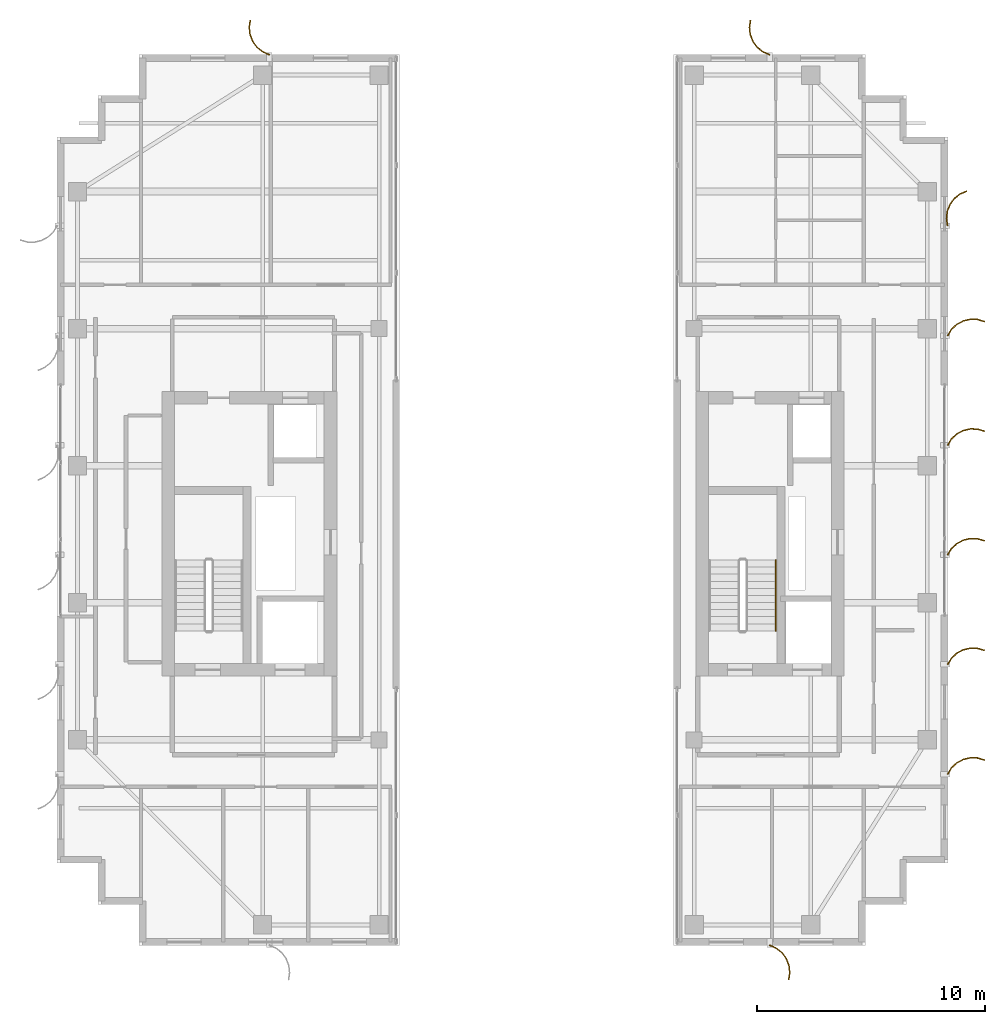
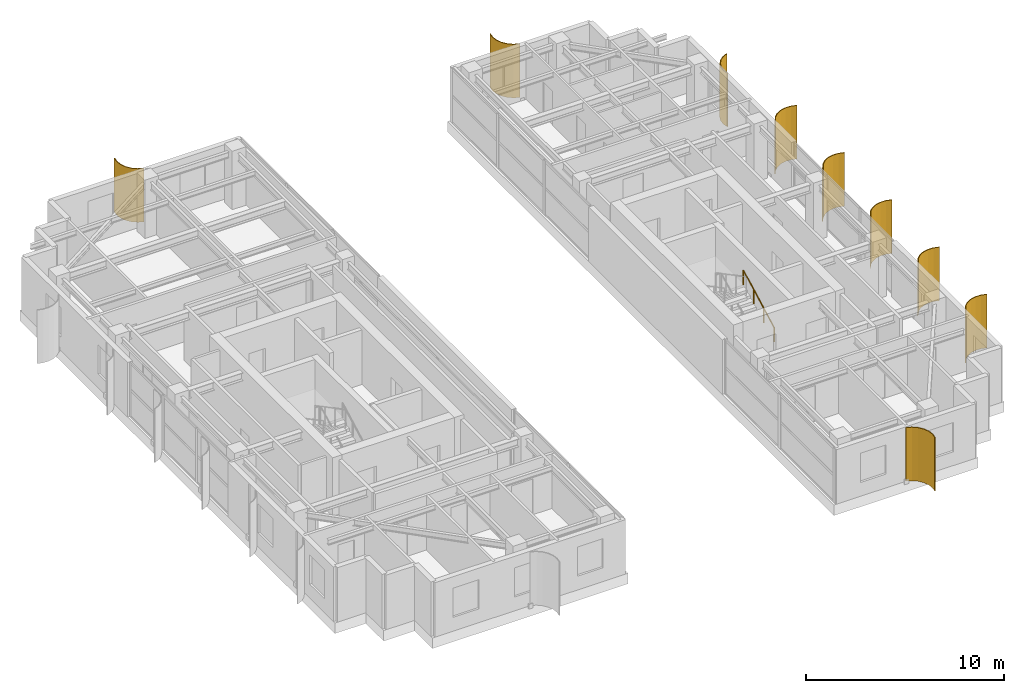
# One storey, part 24 of 24: 9 shading devices, 1 railing.
"""IFC4 building model written with IfcOpenShell, lengths in metres."""

import ifcopenshell
import ifcopenshell.guid

model = None  # the IFC model being written
_history = None  # IfcOwnerHistory: only IFC2X3 demands one
_inside = {}  # id of a spatial element -> (the spatial element, [elements in it])
_under = {}  # id of a project, library or spatial element -> (it, [spatial elements below it])
_declared = {}  # id of a project -> (the project, [libraries it declares])
_typed = {}  # id of a type object -> (the type object, [elements of that type])
_made_of = {}  # id of a material, layer set ... -> (it, [elements and type objects made of it])


def new_model(schema):
    """Start an empty IFC model of exactly this schema.

    Asked for "IFC4X3", IfcOpenShell would pick the latest addendum, in which some entities
    have other attributes; the version numbers below select the first issue.
    IFC2X3 requires an IfcOwnerHistory on every rooted entity: one is made here for all.
    """
    global model, _history
    if schema == "IFC4X3":
        model = ifcopenshell.file(schema_version=(4, 3, 0, 0))
    else:
        model = ifcopenshell.file(schema=schema)
    _inside.clear()
    _under.clear()
    _declared.clear()
    _typed.clear()
    _made_of.clear()
    _history = None
    if model.schema == "IFC2X3":
        org = make("IfcOrganization", Name="unknown")
        user = make(
            "IfcPersonAndOrganization",
            ThePerson=make("IfcPerson", FamilyName="unknown"),
            TheOrganization=org,
        )
        app = make(
            "IfcApplication",
            ApplicationDeveloper=org,
            Version="unknown",
            ApplicationFullName="unknown",
            ApplicationIdentifier="unknown",
        )
        _history = make(
            "IfcOwnerHistory",
            OwningUser=user,
            OwningApplication=app,
            ChangeAction="ADDED",
            CreationDate=0,
        )
    return model


def make(cls, **values):
    """One entity of the class cls with the attributes given. An attribute that is None is left unset."""
    return model.create_entity(
        cls, **{name: value for name, value in values.items() if value is not None}
    )


def rooted(cls, **values):
    """An entity with a GlobalId (a new one), such as an element, a storey or a relation."""
    return make(cls, GlobalId=ifcopenshell.guid.new(), OwnerHistory=_history, **values)


def si_unit(unit_type, name, prefix=None):
    """IfcSIUnit, for example si_unit("LENGTHUNIT", "METRE", prefix="MILLI")."""
    return make("IfcSIUnit", UnitType=unit_type, Prefix=prefix, Name=name)


def assignment(units):
    """IfcUnitAssignment: the units of a project."""
    return None if units is None else make("IfcUnitAssignment", Units=units)


def point(xyz):
    """IfcCartesianPoint."""
    return None if xyz is None else make("IfcCartesianPoint", Coordinates=xyz)


def direction(xyz):
    """IfcDirection."""
    return None if xyz is None else make("IfcDirection", DirectionRatios=xyz)


def frame(location, z_axis=None, x_axis=None):
    """IfcAxis2Placement3D, a coordinate frame: its origin and axes. An axis left out is left unset."""
    return make(
        "IfcAxis2Placement3D",
        Location=point(location),
        Axis=direction(z_axis),
        RefDirection=direction(x_axis),
    )


def frame_2d(location, x_axis=None):
    """IfcAxis2Placement2D, a coordinate frame in the plane: its origin and x axis."""
    return make(
        "IfcAxis2Placement2D", Location=point(location), RefDirection=direction(x_axis)
    )


def origin():
    """The frame at (0, 0, 0) with its axes left unset."""
    return frame((0.0, 0.0, 0.0))


def origin_2d():
    """The frame at (0, 0) in the plane with its x axis left unset."""
    return frame_2d((0.0, 0.0))


def place(relative_to, where):
    """IfcLocalPlacement: puts the frame where relative to a parent placement (None: the world)."""
    return make(
        "IfcLocalPlacement", PlacementRelTo=relative_to, RelativePlacement=where
    )


def context(
    kind, dimensions, precision=None, world=None, true_north=None, identifier=None
):
    """IfcGeometricRepresentationContext, for example the 3D "Model" context."""
    return make(
        "IfcGeometricRepresentationContext",
        ContextIdentifier=identifier,
        ContextType=kind,
        CoordinateSpaceDimension=dimensions,
        Precision=precision,
        WorldCoordinateSystem=world,
        TrueNorth=true_north,
    )


def subcontext(parent, identifier, kind, view, scale=None):
    """IfcGeometricRepresentationSubContext, for example "Body" below "Model"."""
    return make(
        "IfcGeometricRepresentationSubContext",
        ContextIdentifier=identifier,
        ContextType=kind,
        ParentContext=parent,
        TargetScale=scale,
        TargetView=view,
    )


def project(units=None, contexts=None):
    """IfcProject with its units and contexts."""
    return rooted(
        "IfcProject",
        Name="project",
        RepresentationContexts=contexts,
        UnitsInContext=assignment(units),
    )


def spatial(cls, under=None, at=None, **own):
    """A site, building, storey or space (cls), placed at a placement, below another one or the project."""
    s = rooted(cls, ObjectPlacement=at, **own)
    if under is not None:
        _under.setdefault(under.id(), (under, []))[1].append(s)
    return s


def polyline(points):
    """IfcPolyline through the points."""
    return make("IfcPolyline", Points=[point(p) for p in points])


def profile(cls, at=None, kind="AREA", **sizes):
    """A parametric profile (cls). Its sizes go by their IFC names, for example OverallWidth=200.0."""
    return make(cls, ProfileType=kind, Position=at, **sizes)


def circle(**sizes):
    """IfcCircleProfileDef."""
    return profile("IfcCircleProfileDef", **sizes)


def outline(outer, holes=None, kind="AREA"):
    """IfcArbitraryClosedProfileDef: a profile drawn as a closed curve; with holes, ...WithVoids."""
    if holes is None:
        return make("IfcArbitraryClosedProfileDef", ProfileType=kind, OuterCurve=outer)
    return make(
        "IfcArbitraryProfileDefWithVoids",
        ProfileType=kind,
        OuterCurve=outer,
        InnerCurves=holes,
    )


def extrude(swept, where, along, depth):
    """IfcExtrudedAreaSolid: the profile swept, set in the frame where, extruded along a direction by depth."""
    return make(
        "IfcExtrudedAreaSolid",
        SweptArea=swept,
        Position=where,
        ExtrudedDirection=direction(along),
        Depth=depth,
    )


def shape(context_of_items, identifier, shape_type, items):
    """IfcShapeRepresentation: the items that make up one representation, for example the "Body"."""
    return make(
        "IfcShapeRepresentation",
        ContextOfItems=context_of_items,
        RepresentationIdentifier=identifier,
        RepresentationType=shape_type,
        Items=items,
    )


def source(mapping_origin, context_of_items, identifier, shape_type, items):
    """IfcRepresentationMap: a shape defined once, which mapped items show again and again."""
    return make(
        "IfcRepresentationMap",
        MappingOrigin=mapping_origin,
        MappedRepresentation=shape(context_of_items, identifier, shape_type, items),
    )


def transform(
    local_origin,
    x_axis=None,
    y_axis=None,
    z_axis=None,
    scale=None,
    scale2=None,
    scale3=None,
    uniform=True,
):
    """IfcCartesianTransformationOperator3D, or its non-uniform kind. x_axis, y_axis, z_axis: its Axis1, 2, 3."""
    if uniform:
        return make(
            "IfcCartesianTransformationOperator3D",
            Axis1=direction(x_axis),
            Axis2=direction(y_axis),
            LocalOrigin=point(local_origin),
            Scale=scale,
            Axis3=direction(z_axis),
        )
    return make(
        "IfcCartesianTransformationOperator3DnonUniform",
        Axis1=direction(x_axis),
        Axis2=direction(y_axis),
        LocalOrigin=point(local_origin),
        Scale=scale,
        Axis3=direction(z_axis),
        Scale2=scale2,
        Scale3=scale3,
    )


def mapped(mapping_source, mapping_target):
    """IfcMappedItem: shows the shape of a source again, moved by a transform."""
    return make(
        "IfcMappedItem", MappingSource=mapping_source, MappingTarget=mapping_target
    )


def material(Name=None, Category=None):
    """IfcMaterial."""
    return make("IfcMaterial", Name=Name, Category=Category)


def layer(
    of_material, thickness, ventilated=None, Name=None, Category=None, Priority=None
):
    """IfcMaterialLayer: one layer of a wall or slab, of a material (None: an air gap)."""
    return make(
        "IfcMaterialLayer",
        Material=of_material,
        LayerThickness=thickness,
        IsVentilated=ventilated,
        Name=Name,
        Category=Category,
        Priority=Priority,
    )


def layer_set(layers, Name=None):
    """IfcMaterialLayerSet."""
    return make("IfcMaterialLayerSet", MaterialLayers=layers, LayerSetName=Name)


def made_of(thing, what):
    """Note that an element or type object is made of a material, layer set ...; save() writes the relation."""
    if what is not None:
        _made_of.setdefault(what.id(), (what, []))[1].append(thing)
    return thing


def type_object(cls, material=None, **own):
    """A type object (cls), such as IfcWallType, which elements share."""
    return made_of(rooted(cls, **own), material)


def element(
    cls,
    number,
    at=None,
    inside=None,
    cuts=None,
    type_object=None,
    material=None,
    context=None,
    identifier="Body",
    shape_type=None,
    held_by="IfcProductDefinitionShape",
    body=None,
    shapes=None,
    **own,
):
    """One element of the class cls, such as IfcWall. Its Tag is "e" and its number.

    at: its placement. inside: the storey or other place that contains it. cuts: it is an
    opening in that element (IfcRelVoidsElement). A single representation is given by context,
    identifier, shape_type and body (its items); several are given by shapes. held_by: the class
    of the entity that holds the representations. save() writes the other relations.
    """
    e = rooted(cls, Tag="e%d" % number, ObjectPlacement=at, **own)
    if body is not None:
        shapes = [shape(context, identifier, shape_type, body)]
    if shapes is not None:
        e.Representation = make(held_by, Representations=shapes)
    if inside is not None:
        _inside.setdefault(inside.id(), (inside, []))[1].append(e)
    if cuts is not None:
        rooted(
            "IfcRelVoidsElement", RelatingBuildingElement=cuts, RelatedOpeningElement=e
        )
    if type_object is not None:
        _typed.setdefault(type_object.id(), (type_object, []))[1].append(e)
    return made_of(e, material)


def aggregate(whole, parts):
    """IfcRelAggregates: a whole, such as a stair, and the parts it consists of."""
    return rooted("IfcRelAggregates", RelatingObject=whole, RelatedObjects=parts)


def save(model, path):
    """Write the relations noted so far, then the file.

    IfcRelAggregates (storeys below a building ...), IfcRelContainedInSpatialStructure (elements
    in a storey), IfcRelDefinesByType, IfcRelAssociatesMaterial and IfcRelDeclares: one each for
    every whole, place, type object, material and project.
    """
    for whole, parts in _under.values():
        aggregate(whole, parts)
    for where, things in _inside.values():
        rooted(
            "IfcRelContainedInSpatialStructure",
            RelatedElements=things,
            RelatingStructure=where,
        )
    for kind, things in _typed.values():
        rooted("IfcRelDefinesByType", RelatedObjects=things, RelatingType=kind)
    for what, things in _made_of.values():
        rooted("IfcRelAssociatesMaterial", RelatedObjects=things, RelatingMaterial=what)
    for by, libraries in _declared.values():
        rooted("IfcRelDeclares", RelatingContext=by, RelatedDefinitions=libraries)
    model.write(path)


model = new_model("IFC4")

# Units and contexts
model_context = context("Model", 3, precision=1e-05, world=origin(), true_north=direction((0.0, 1.0)))
body_context = subcontext(model_context, "Body", "Model", "MODEL_VIEW")
ifc_project = project(units=[si_unit("LENGTHUNIT", "METRE"), si_unit("AREAUNIT", "SQUARE_METRE"), si_unit("VOLUMEUNIT", "CUBIC_METRE"), si_unit("PLANEANGLEUNIT", "RADIAN"), si_unit("MASSUNIT", "GRAM", prefix="KILO")], contexts=[model_context])

# Site, building, storey
site_placement = place(None, origin())
site = spatial("IfcSite", under=ifc_project, at=site_placement, CompositionType="ELEMENT")
building_placement = place(site_placement, origin())
building = spatial("IfcBuilding", under=site, at=building_placement, Name="Khoralis Quay Care Tower", CompositionType="ELEMENT")
storey_placement = place(building_placement, frame((0.0, 0.0, 227.699951171875)))
storey = spatial("IfcBuildingStorey", under=building, at=storey_placement, Name="L59", CompositionType="ELEMENT", Elevation=227.699951171875)

# Railing
ifc_material_1 = material(Name="Brushed stainless steel", Category="steel")
railing_type = type_object("IfcRailingType", Name="RL-HAND-900", PredefinedType="HANDRAIL", material=ifc_material_1)
railing_placement = place(storey_placement, frame((34.469970703125, 16.77001953125, 0.16357421875)))
element("IfcRailing", 1, at=railing_placement, inside=storey, type_object=railing_type, Name="L59 ST-T2 stair handrail 1", PredefinedType="HANDRAIL", context=body_context, shape_type="SweptSolid", body=[
    extrude(circle(Radius=0.02392578125, at=origin_2d()), frame((0.0, 0.0, 0.8759765625), z_axis=(0.0, 0.884348015382, 0.466828220752), x_axis=(-1.0, 0.0, 0.0)), (0.0, 0.0, 1.0), 3.505615234375),
    extrude(circle(Radius=0.02099609375, at=origin_2d()), origin(), (0.0, 0.0, 1.0), 0.851806640625),
    extrude(circle(Radius=0.02099609375, at=origin_2d()), frame((0.0, 1.033447265625, 0.54541015625)), (0.0, 0.0, 1.0), 0.851806640625),
    extrude(circle(Radius=0.02099609375, at=origin_2d()), frame((0.0, 2.066650390625, 1.091064453125)), (0.0, 0.0, 1.0), 0.851806640625),
    extrude(circle(Radius=0.02099609375, at=origin_2d()), frame((0.0, 3.10009765625, 1.636474609375)), (0.0, 0.0, 1.0), 0.851806640625),
])

# Shading devices
ifc_material_2 = material(Name="Brushed pale anodised aluminium", Category="aluminium")
ifc_layer = layer(ifc_material_2, 0.044921875)
ifc_layer_set = layer_set([ifc_layer], Name="Brushed pale anodised aluminium")
shading_device_type = type_object("IfcShadingDeviceType", Name="SHD-FIN-1250", PredefinedType="USERDEFINED", material=ifc_layer_set)
shared_shape_1 = source(origin(), body_context, "Body", "SweptSolid", [
    extrude(outline(polyline([(0.0, 0.0), (0.130126953125, 0.29931640625), (0.333251953125, 0.5546875), (0.595458984375, 0.748779296875), (0.899169921875, 0.868408203125), (1.223388671875, 0.9052734375), (1.546142578125, 0.85693359375), (1.53369140625, 0.813720703125), (1.22265625, 0.8603515625), (0.91015625, 0.82470703125), (0.617431640625, 0.70947265625), (0.364501953125, 0.522216796875), (0.168701171875, 0.276123046875), (0.043212890625, -0.012451171875), (0.0, 0.0)])), origin(), (0.0, 0.0, 1.0), 3.300048828125),
])
for number, where, z_axis, x_axis, name in (
    (2, (12.300048828125, 41.969970703125, 0.02001953125), (0.0, 0.0, 1.0), (0.0, 1.0, 0.0), "L59 Curved Solar Fin P1E2-01"),
    (3, (34.199951171875, 3.030029296875, 0.02001953125), (0.0, 0.0, 1.0), (0.0, -1.0, 0.0), "L59 Curved Solar Fin P2E0-01"),
    (4, (34.199951171875, 41.969970703125, 0.02001953125), (0.0, 0.0, 1.0), (0.0, 1.0, 0.0), "L59 Curved Solar Fin P2E10-01"),
):
    element("IfcShadingDevice", number, at=place(storey_placement, frame(where, z_axis=z_axis, x_axis=x_axis)), inside=storey, type_object=shading_device_type, Name=name, ObjectType="FIN", PredefinedType="USERDEFINED", context=body_context, shape_type="MappedRepresentation", body=[
        mapped(shared_shape_1, transform((0.0, 0.0, 0.0), scale=1.0)),
    ])
shared_shape_2 = source(origin(), body_context, "Body", "SweptSolid", [
    extrude(outline(polyline([(0.0, 0.0), (0.17041015625, 0.2783203125), (0.4072265625, 0.5029296875), (0.694091796875, 0.658447265625), (1.01123046875, 0.734619140625), (1.33740234375, 0.72607421875), (1.650390625, 0.633544921875), (1.632080078125, 0.59228515625), (1.330322265625, 0.681640625), (1.015869140625, 0.68994140625), (0.710205078125, 0.616455078125), (0.43359375, 0.466552734375), (0.20556640625, 0.25), (0.041015625, -0.018310546875), (0.0, 0.0)])), origin(), (0.0, 0.0, 1.0), 3.300048828125),
])
for number, where, z_axis, x_axis, name in (
    (5, (41.969970703125, 10.5, 0.02001953125), (0.0, 0.0, 1.0), (1.0, 0.0, 0.0), "L59 Curved Solar Fin P2E5-01"),
    (6, (41.969970703125, 15.300048828125, 0.02001953125), (0.0, 0.0, 1.0), (1.0, 0.0, 0.0), "L59 Curved Solar Fin P2E5-02"),
    (7, (41.969970703125, 20.10009765625, 0.02001953125), (0.0, 0.0, 1.0), (1.0, 0.0, 0.0), "L59 Curved Solar Fin P2E5-03"),
    (8, (41.969970703125, 24.89990234375, 0.02001953125), (0.0, 0.0, 1.0), (1.0, 0.0, 0.0), "L59 Curved Solar Fin P2E5-04"),
    (9, (41.969970703125, 29.699951171875, 0.02001953125), (0.0, 0.0, 1.0), (1.0, 0.0, 0.0), "L59 Curved Solar Fin P2E5-05"),
):
    element("IfcShadingDevice", number, at=place(storey_placement, frame(where, z_axis=z_axis, x_axis=x_axis)), inside=storey, type_object=shading_device_type, Name=name, ObjectType="FIN", PredefinedType="USERDEFINED", context=body_context, shape_type="MappedRepresentation", body=[
        mapped(shared_shape_2, transform((0.0, 0.0, 0.0), scale=1.0)),
    ])
shared_shape_3 = source(origin(), body_context, "Body", "SweptSolid", [
    extrude(outline(polyline([(0.0, 0.0), (-0.04833984375, 0.32275390625), (-0.01123046875, 0.64697265625), (0.1083984375, 0.950439453125), (0.302490234375, 1.212890625), (0.557861328125, 1.416015625), (0.85693359375, 1.546142578125), (0.869384765625, 1.5029296875), (0.5810546875, 1.37744140625), (0.334716796875, 1.181640625), (0.147705078125, 0.9287109375), (0.032470703125, 0.635986328125), (-0.003173828125, 0.323486328125), (0.043212890625, 0.012451171875), (0.0, 0.0)])), origin(), (0.0, 0.0, 1.0), 3.300048828125),
])
shading_device_placement = place(storey_placement, frame((41.969970703125, 34.5, 0.02001953125), z_axis=(0.0, 0.0, 1.0), x_axis=(1.0, 0.0, 0.0)))
element("IfcShadingDevice", 10, at=shading_device_placement, inside=storey, type_object=shading_device_type, Name="L59 Curved Solar Fin P2E5-06", ObjectType="FIN", PredefinedType="USERDEFINED", context=body_context, shape_type="MappedRepresentation", body=[
    mapped(shared_shape_3, transform((0.0, 0.0, 0.0), scale=1.0)),
])

save(model, "model.ifc")
